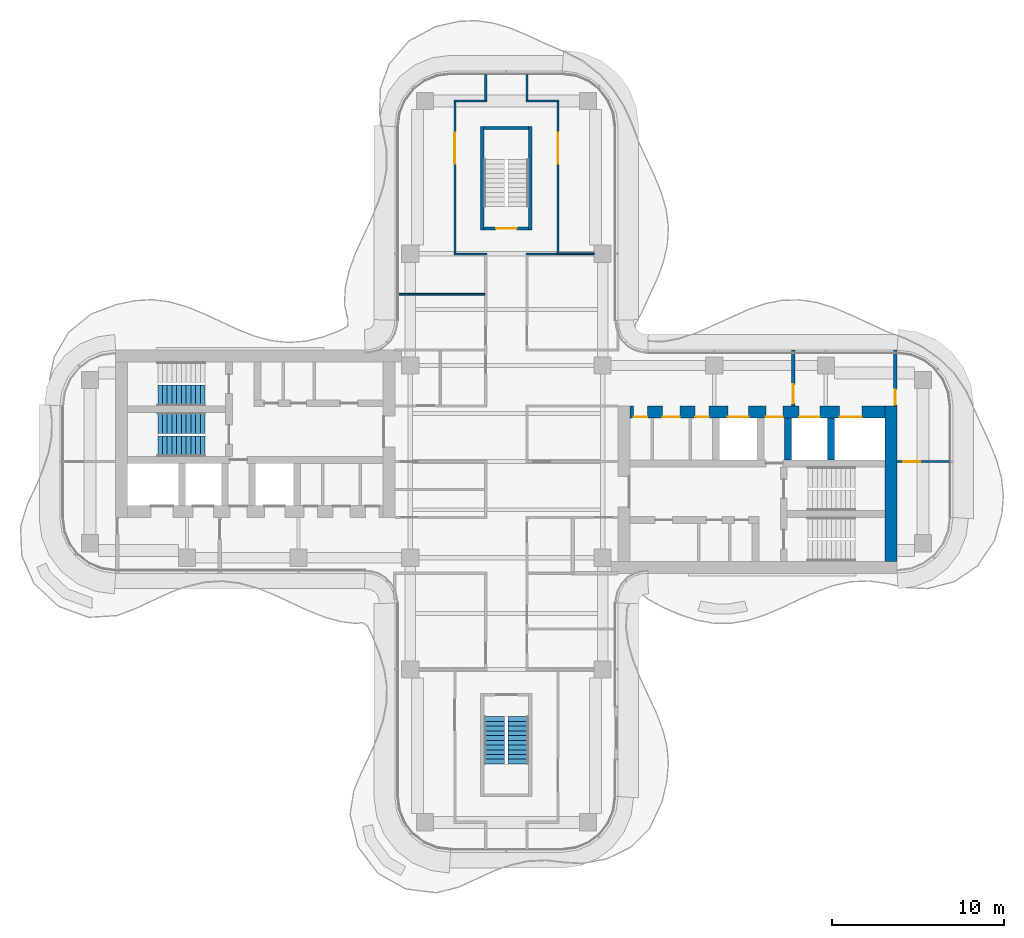
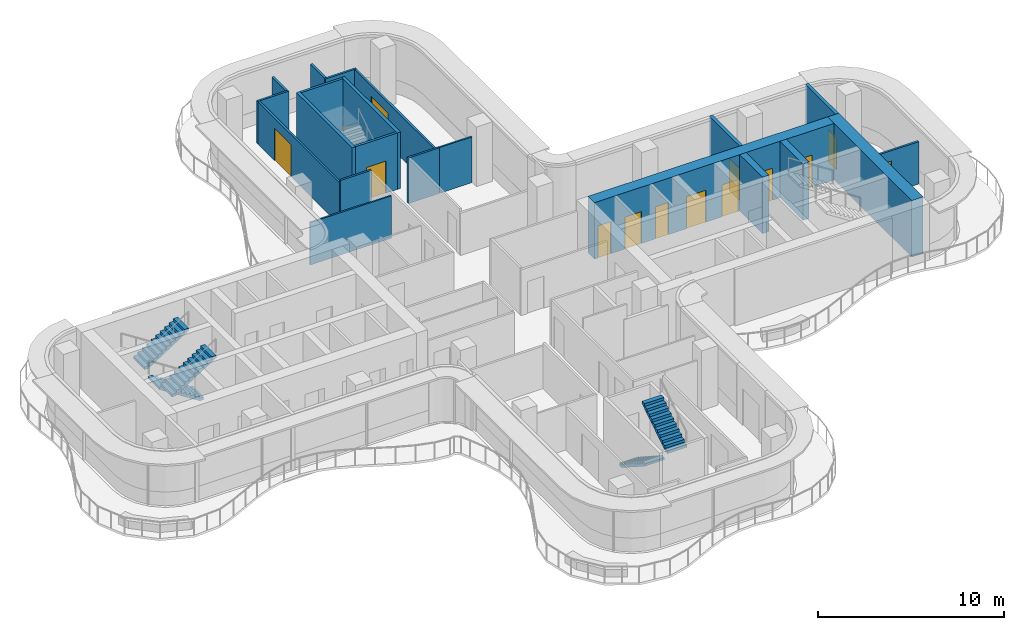
# One storey, part 13 of 16: 21 walls, 13 doors, 5 stair flights, 13 openings, 3 elements without a shape of their own.
"""IFC4 building model written with IfcOpenShell, lengths in metres."""

from ifc_helpers import new_model, si_unit, direction, frame, frame_2d, origin, place, context, subcontext, project, spatial, polyline, rectangle, outline, extrude, source, transform, mapped, material, layer, layer_set, type_object, element, fill, aggregate, save


model = new_model("IFC4")

# Units and contexts
model_context = context("Model", 3, precision=1e-05, world=origin(), true_north=direction((0.0, 1.0)))
body_context = subcontext(model_context, "Body", "Model", "MODEL_VIEW")
ifc_project = project(units=[si_unit("LENGTHUNIT", "METRE"), si_unit("AREAUNIT", "SQUARE_METRE"), si_unit("VOLUMEUNIT", "CUBIC_METRE"), si_unit("PLANEANGLEUNIT", "RADIAN"), si_unit("MASSUNIT", "GRAM", prefix="KILO")], contexts=[model_context])

# Site, building, storey
site_placement = place(None, origin())
site = spatial("IfcSite", under=ifc_project, at=site_placement, CompositionType="ELEMENT")
building_placement = place(site_placement, origin())
building = spatial("IfcBuilding", under=site, at=building_placement, Name="Trellis Farm Tower", CompositionType="ELEMENT")
storey_placement = place(building_placement, frame((0.0, 0.0, 291.10009765625)))
storey = spatial("IfcBuildingStorey", under=building, at=storey_placement, Name="L65", CompositionType="ELEMENT", Elevation=291.10009765625)

# Walls
ifc_material_1 = material(Name="Concrete C50/60", Category="concrete")
ifc_layer_1 = layer(ifc_material_1, 0.699951171875)
ifc_layer_set_1 = layer_set([ifc_layer_1], Name="CORE OUTER WALL 700 CONCRETE C50/60")
wall_type_1 = type_object("IfcWallType", Name="CORE OUTER WALL 700 CONCRETE C50/60", PredefinedType="SHEAR", material=ifc_layer_set_1)
shared_shape_1 = source(origin(), body_context, "Body", "SweptSolid", [
    extrude(rectangle(XDim=9.050048828125, YDim=0.699951171875, at=frame_2d((4.52490234375, 0.0))), origin(), (0.0, 0.0, 1.0), 3.699951171875),
])
wall_1_placement = place(storey_placement, frame((22.39990234375, -5.800048828125, 0.0), z_axis=(0.0, 0.0, 1.0), x_axis=(0.0, 1.0, 0.0)))
element("IfcWall", 1, at=wall_1_placement, inside=storey, type_object=wall_type_1, Name="Core wall", PredefinedType="SHEAR", context=body_context, shape_type="MappedRepresentation", body=[
    mapped(shared_shape_1, transform((0.0, 0.0, 0.0))),
])
ifc_layer_2 = layer(ifc_material_1, 0.39990234375)
ifc_layer_set_2 = layer_set([ifc_layer_2], Name="CORE INNER WALL 400 CONCRETE C50/60")
wall_type_2 = type_object("IfcWallType", Name="CORE INNER WALL 400 CONCRETE C50/60", PredefinedType="SHEAR", material=ifc_layer_set_2)
shared_shape_2 = source(origin(), body_context, "Body", "SweptSolid", [
    extrude(rectangle(XDim=2.449951171875, YDim=0.39990234375, at=frame_2d((1.22509765625, 0.0))), origin(), (0.0, 0.0, 1.0), 3.699951171875),
])
for number, where, z_axis, x_axis, name in (
    (2, (16.39990234375, 0.10009765625, 0.0), (0.0, 0.0, 1.0), (0.0, 1.0, 0.0), "Core wall"),
    (3, (18.89990234375, 0.10009765625, 0.0), (0.0, 0.0, 1.0), (0.0, 1.0, 0.0), "Core wall"),
):
    element("IfcWall", number, at=place(storey_placement, frame(where, z_axis=z_axis, x_axis=x_axis)), inside=storey, type_object=wall_type_2, Name=name, PredefinedType="SHEAR", context=body_context, shape_type="MappedRepresentation", body=[
        mapped(shared_shape_2, transform((0.0, 0.0, 0.0))),
    ])

# Wall, opening, door
ifc_material_2 = material(Name="Masonry blockwork", Category="masonry")
ifc_layer_3 = layer(ifc_material_2, 0.199951171875)
ifc_layer_set_3 = layer_set([ifc_layer_3], Name="FIRE LOBBY PARTITION 200 BLOCKWORK")
wall_type_3 = type_object("IfcWallType", Name="FIRE LOBBY PARTITION 200 BLOCKWORK", PredefinedType="PARTITIONING", material=ifc_layer_set_3)
shared_shape_3 = source(origin(), body_context, "Body", "SweptSolid", [
    extrude(rectangle(XDim=3.25, YDim=0.199951171875, at=frame_2d((1.625, 0.0))), origin(), (0.0, 0.0, 1.0), 3.699951171875),
])
wall_2_placement = place(storey_placement, frame((16.699951171875, 3.25, 0.0), z_axis=(0.0, 0.0, 1.0), x_axis=(0.0, 1.0, 0.0)))
wall_2 = element("IfcWall", 4, at=wall_2_placement, inside=storey, type_object=wall_type_3, Name="Fire-fighting lobby partition", PredefinedType="PARTITIONING", context=body_context, shape_type="MappedRepresentation", body=[
    mapped(shared_shape_3, transform((0.0, 0.0, 0.0))),
])
shared_shape_4 = source(origin(), body_context, "Body", "SweptSolid", [
    extrude(rectangle(XDim=1.10009765625, YDim=2.10009765625, at=frame_2d((0.550048828125, 1.050048828125))), frame((0.0, 0.110107421875, 0.0), z_axis=(0.0, -1.0, 0.0), x_axis=(1.0, 0.0, 0.0)), (0.0, 0.0, 1.0), 0.22021484375),
])
opening_1_placement = place(wall_2_placement, frame((0.14990234375, 0.0, 0.0)))
opening_1 = element("IfcOpeningElement", 5, at=opening_1_placement, cuts=wall_2, Name="Opening DC7", PredefinedType="OPENING", context=body_context, shape_type="MappedRepresentation", body=[
    mapped(shared_shape_4, transform((0.0, 0.0, 0.0))),
])
ifc_material_3 = material(Name="Steel", Category="steel")
door_type_1 = type_object("IfcDoorType", Name="CORE FIRE DOOR 1100 X 2100", OperationType="NOTDEFINED", PredefinedType="DOOR", material=ifc_material_3)
shared_shape_5 = source(origin(), body_context, "Body", "SweptSolid", [
    extrude(rectangle(XDim=1.10009765625, YDim=2.10009765625, at=frame_2d((0.550048828125, 1.050048828125))), frame((0.0, 0.02490234375, 0.0), z_axis=(0.0, -1.0, 0.0), x_axis=(1.0, 0.0, 0.0)), (0.0, 0.0, 1.0), 0.050048828125),
])
door_1_placement = place(opening_1_placement, origin())
door_1 = element("IfcDoor", 6, at=door_1_placement, inside=storey, type_object=door_type_1, Name="Core door", OperationType="SINGLE_SWING_RIGHT", OverallHeight=2.10009765625, OverallWidth=1.10009765625, PredefinedType="DOOR", context=body_context, shape_type="MappedRepresentation", body=[
    mapped(shared_shape_5, transform((0.0, 0.0, 0.0))),
])
fill(opening_1, door_1)

wall_3_placement = place(storey_placement, frame((22.64990234375, 3.25, 0.0), z_axis=(0.0, 0.0, 1.0), x_axis=(0.0, 1.0, 0.0)))
wall_3 = element("IfcWall", 7, at=wall_3_placement, inside=storey, type_object=wall_type_3, Name="Fire-fighting lobby partition", PredefinedType="PARTITIONING", context=body_context, shape_type="MappedRepresentation", body=[
    mapped(shared_shape_3, transform((0.0, 0.0, 0.0))),
])
shared_shape_6 = source(origin(), body_context, "Body", "SweptSolid", [
    extrude(rectangle(XDim=0.89990234375, YDim=2.10009765625, at=frame_2d((0.449951171875, 1.050048828125))), frame((0.0, 0.110107421875, 0.0), z_axis=(0.0, -1.0, 0.0), x_axis=(1.0, 0.0, 0.0)), (0.0, 0.0, 1.0), 0.22021484375),
])
opening_2_placement = place(wall_3_placement, frame((0.050048828125, 0.0, 0.0)))
opening_2 = element("IfcOpeningElement", 8, at=opening_2_placement, cuts=wall_3, Name="Opening DC8", PredefinedType="OPENING", context=body_context, shape_type="MappedRepresentation", body=[
    mapped(shared_shape_6, transform((0.0, 0.0, 0.0))),
])
door_type_2 = type_object("IfcDoorType", Name="CORE FIRE DOOR 900 X 2100", OperationType="NOTDEFINED", PredefinedType="DOOR", material=ifc_material_3)
shared_shape_7 = source(origin(), body_context, "Body", "SweptSolid", [
    extrude(rectangle(XDim=0.89990234375, YDim=2.10009765625, at=frame_2d((0.449951171875, 1.050048828125))), frame((0.0, 0.02490234375, 0.0), z_axis=(0.0, -1.0, 0.0), x_axis=(1.0, 0.0, 0.0)), (0.0, 0.0, 1.0), 0.050048828125),
])
door_2_placement = place(opening_2_placement, origin())
door_2 = element("IfcDoor", 9, at=door_2_placement, inside=storey, type_object=door_type_2, Name="Core door", OperationType="SINGLE_SWING_RIGHT", OverallHeight=2.10009765625, OverallWidth=0.89990234375, PredefinedType="DOOR", context=body_context, shape_type="MappedRepresentation", body=[
    mapped(shared_shape_7, transform((0.0, 0.0, 0.0))),
])
fill(opening_2, door_2)

# Wall, openings, doors
shared_shape_8 = source(origin(), body_context, "Body", "SweptSolid", [
    extrude(rectangle(XDim=14.85009765625, YDim=0.699951171875, at=frame_2d((7.425048828125, 0.0))), origin(), (0.0, 0.0, 1.0), 3.699951171875),
])
wall_4_placement = place(storey_placement, frame((7.199951171875, 2.89990234375, 0.0), z_axis=(0.0, 0.0, 1.0), x_axis=(1.0, 0.0, 0.0)))
wall_4 = element("IfcWall", 10, at=wall_4_placement, inside=storey, type_object=wall_type_1, Name="Core wall", PredefinedType="SHEAR", context=body_context, shape_type="MappedRepresentation", body=[
    mapped(shared_shape_8, transform((0.0, 0.0, 0.0))),
])
shared_shape_9 = source(origin(), body_context, "Body", "SweptSolid", [
    extrude(rectangle(XDim=1.199951171875, YDim=2.10009765625, at=frame_2d((0.60009765625, 1.050048828125))), frame((0.0, 0.360107421875, 0.0), z_axis=(0.0, -1.0, 0.0), x_axis=(1.0, 0.0, 0.0)), (0.0, 0.0, 1.0), 0.72021484375),
])
opening_3_placement = place(wall_4_placement, frame((5.699951171875, 0.0, 0.0)))
opening_3 = element("IfcOpeningElement", 11, at=opening_3_placement, cuts=wall_4, Name="Opening LD6", PredefinedType="OPENING", context=body_context, shape_type="MappedRepresentation", body=[
    mapped(shared_shape_9, transform((0.0, 0.0, 0.0))),
])
shared_shape_10 = source(origin(), body_context, "Body", "SweptSolid", [
    extrude(rectangle(XDim=1.300048828125, YDim=2.10009765625, at=frame_2d((0.64990234375, 1.050048828125))), frame((0.0, 0.360107421875, 0.0), z_axis=(0.0, -1.0, 0.0), x_axis=(1.0, 0.0, 0.0)), (0.0, 0.0, 1.0), 0.72021484375),
])
opening_4_placement = place(wall_4_placement, frame((12.199951171875, 0.0, 0.0)))
opening_4 = element("IfcOpeningElement", 12, at=opening_4_placement, cuts=wall_4, Name="Opening LD7", PredefinedType="OPENING", context=body_context, shape_type="MappedRepresentation", body=[
    mapped(shared_shape_10, transform((0.0, 0.0, 0.0))),
])
opening_5_placement = place(wall_4_placement, frame((9.85009765625, 0.0, 0.0)))
opening_5 = element("IfcOpeningElement", 13, at=opening_5_placement, cuts=wall_4, Name="Opening LD8", PredefinedType="OPENING", context=body_context, shape_type="MappedRepresentation", body=[
    mapped(shared_shape_9, transform((0.0, 0.0, 0.0))),
])
shared_shape_11 = source(origin(), body_context, "Body", "SweptSolid", [
    extrude(rectangle(XDim=1.0, YDim=2.10009765625, at=frame_2d((0.5, 1.050048828125))), frame((0.0, 0.360107421875, 0.0), z_axis=(0.0, -1.0, 0.0), x_axis=(1.0, 0.0, 0.0)), (0.0, 0.0, 1.0), 0.72021484375),
])
opening_6_placement = place(wall_4_placement, frame((7.89990234375, 0.0, 0.0)))
opening_6 = element("IfcOpeningElement", 14, at=opening_6_placement, cuts=wall_4, Name="Opening DC6", PredefinedType="OPENING", context=body_context, shape_type="MappedRepresentation", body=[
    mapped(shared_shape_11, transform((0.0, 0.0, 0.0))),
])
shared_shape_12 = source(origin(), body_context, "Body", "SweptSolid", [
    extrude(rectangle(XDim=0.800048828125, YDim=2.10009765625, at=frame_2d((0.39990234375, 1.050048828125))), frame((0.0, 0.360107421875, 0.0), z_axis=(0.0, -1.0, 0.0), x_axis=(1.0, 0.0, 0.0)), (0.0, 0.0, 1.0), 0.72021484375),
])
opening_7_placement = place(wall_4_placement, frame((0.21240234375, 0.0, 0.0)))
opening_7 = element("IfcOpeningElement", 15, at=opening_7_placement, cuts=wall_4, Name="Opening DC10", PredefinedType="OPENING", context=body_context, shape_type="MappedRepresentation", body=[
    mapped(shared_shape_12, transform((0.0, 0.0, 0.0))),
])
opening_8_placement = place(wall_4_placement, frame((1.89990234375, 0.0, 0.0)))
opening_8 = element("IfcOpeningElement", 16, at=opening_8_placement, cuts=wall_4, Name="Opening DC19", PredefinedType="OPENING", context=body_context, shape_type="MappedRepresentation", body=[
    mapped(shared_shape_11, transform((0.0, 0.0, 0.0))),
])
opening_9_placement = place(wall_4_placement, frame((3.78759765625, 0.0, 0.0)))
opening_9 = element("IfcOpeningElement", 17, at=opening_9_placement, cuts=wall_4, Name="Opening DC22", PredefinedType="OPENING", context=body_context, shape_type="MappedRepresentation", body=[
    mapped(shared_shape_12, transform((0.0, 0.0, 0.0))),
])
door_type_3 = type_object("IfcDoorType", Name="CORE FIRE DOOR 1000 X 2100", OperationType="NOTDEFINED", PredefinedType="DOOR", material=ifc_material_3)
shared_shape_13 = source(origin(), body_context, "Body", "SweptSolid", [
    extrude(rectangle(XDim=1.0, YDim=2.10009765625, at=frame_2d((0.5, 1.050048828125))), frame((0.0, -0.27490234375, 0.0), z_axis=(0.0, -1.0, 0.0), x_axis=(1.0, 0.0, 0.0)), (0.0, 0.0, 1.0), 0.050048828125),
])
door_3_placement = place(opening_6_placement, origin())
door_3 = element("IfcDoor", 18, at=door_3_placement, inside=storey, type_object=door_type_3, Name="Core door", OperationType="SINGLE_SWING_LEFT", OverallHeight=2.10009765625, OverallWidth=1.0, PredefinedType="DOOR", context=body_context, shape_type="MappedRepresentation", body=[
    mapped(shared_shape_13, transform((0.0, 0.0, 0.0))),
])
fill(opening_6, door_3)
door_4_placement = place(opening_8_placement, origin())
door_4 = element("IfcDoor", 19, at=door_4_placement, inside=storey, type_object=door_type_3, Name="Core door", OperationType="SINGLE_SWING_LEFT", OverallHeight=2.10009765625, OverallWidth=1.0, PredefinedType="DOOR", context=body_context, shape_type="MappedRepresentation", body=[
    mapped(shared_shape_13, transform((0.0, 0.0, 0.0))),
])
fill(opening_8, door_4)
ifc_material_4 = material(Name="Stainless steel", Category="steel")
door_type_4 = type_object("IfcDoorType", Name="LIFT LANDING DOOR 1300 X 2100", OperationType="DOUBLE_DOOR_SLIDING", PredefinedType="DOOR", material=ifc_material_4)
shared_shape_14 = source(origin(), body_context, "Body", "SweptSolid", [
    extrude(rectangle(XDim=1.300048828125, YDim=2.10009765625, at=frame_2d((0.64990234375, 1.050048828125))), frame((0.0, -0.27490234375, 0.0), z_axis=(0.0, -1.0, 0.0), x_axis=(1.0, 0.0, 0.0)), (0.0, 0.0, 1.0), 0.050048828125),
])
door_5_placement = place(opening_4_placement, origin())
door_5 = element("IfcDoor", 20, at=door_5_placement, inside=storey, type_object=door_type_4, Name="Lift landing door", OperationType="DOUBLE_DOOR_SLIDING", OverallHeight=2.10009765625, OverallWidth=1.300048828125, PredefinedType="DOOR", context=body_context, shape_type="MappedRepresentation", body=[
    mapped(shared_shape_14, transform((0.0, 0.0, 0.0))),
])
fill(opening_4, door_5)
door_type_5 = type_object("IfcDoorType", Name="LIFT LANDING DOOR 1200 X 2100", OperationType="DOUBLE_DOOR_SLIDING", PredefinedType="DOOR", material=ifc_material_4)
shared_shape_15 = source(origin(), body_context, "Body", "SweptSolid", [
    extrude(rectangle(XDim=1.199951171875, YDim=2.10009765625, at=frame_2d((0.60009765625, 1.050048828125))), frame((0.0, -0.27490234375, 0.0), z_axis=(0.0, -1.0, 0.0), x_axis=(1.0, 0.0, 0.0)), (0.0, 0.0, 1.0), 0.050048828125),
])
door_6_placement = place(opening_3_placement, origin())
door_6 = element("IfcDoor", 21, at=door_6_placement, inside=storey, type_object=door_type_5, Name="Lift landing door", OperationType="DOUBLE_DOOR_SLIDING", OverallHeight=2.10009765625, OverallWidth=1.199951171875, PredefinedType="DOOR", context=body_context, shape_type="MappedRepresentation", body=[
    mapped(shared_shape_15, transform((0.0, 0.0, 0.0))),
])
fill(opening_3, door_6)
door_7_placement = place(opening_5_placement, origin())
door_7 = element("IfcDoor", 22, at=door_7_placement, inside=storey, type_object=door_type_5, Name="Lift landing door", OperationType="DOUBLE_DOOR_SLIDING", OverallHeight=2.10009765625, OverallWidth=1.199951171875, PredefinedType="DOOR", context=body_context, shape_type="MappedRepresentation", body=[
    mapped(shared_shape_15, transform((0.0, 0.0, 0.0))),
])
fill(opening_5, door_7)
door_type_6 = type_object("IfcDoorType", Name="CORE FIRE DOOR 800 X 2100", OperationType="NOTDEFINED", PredefinedType="DOOR", material=ifc_material_3)
shared_shape_16 = source(origin(), body_context, "Body", "SweptSolid", [
    extrude(rectangle(XDim=0.800048828125, YDim=2.10009765625, at=frame_2d((0.39990234375, 1.050048828125))), frame((0.0, -0.27490234375, 0.0), z_axis=(0.0, -1.0, 0.0), x_axis=(1.0, 0.0, 0.0)), (0.0, 0.0, 1.0), 0.050048828125),
])
door_8_placement = place(opening_7_placement, origin())
door_8 = element("IfcDoor", 23, at=door_8_placement, inside=storey, type_object=door_type_6, Name="Core door", OperationType="SINGLE_SWING_RIGHT", OverallHeight=2.10009765625, OverallWidth=0.800048828125, PredefinedType="DOOR", context=body_context, shape_type="MappedRepresentation", body=[
    mapped(shared_shape_16, transform((0.0, 0.0, 0.0))),
])
fill(opening_7, door_8)
door_9_placement = place(opening_9_placement, origin())
door_9 = element("IfcDoor", 24, at=door_9_placement, inside=storey, type_object=door_type_6, Name="Core door", OperationType="SINGLE_SWING_RIGHT", OverallHeight=2.10009765625, OverallWidth=0.800048828125, PredefinedType="DOOR", context=body_context, shape_type="MappedRepresentation", body=[
    mapped(shared_shape_16, transform((0.0, 0.0, 0.0))),
])
fill(opening_9, door_9)

# Walls
ifc_layer_4 = layer(ifc_material_1, 0.199951171875)
ifc_layer_set_4 = layer_set([ifc_layer_4], Name="CORE STAIR ENCLOSURE WALL 200 CONCRETE C50/60")
wall_type_4 = type_object("IfcWallType", Name="CORE STAIR ENCLOSURE WALL 200 CONCRETE C50/60", PredefinedType="SHEAR", material=ifc_layer_set_4)
shared_shape_17 = source(origin(), body_context, "Body", "SweptSolid", [
    extrude(rectangle(XDim=6.0, YDim=0.199951171875, at=frame_2d((3.0, 0.0))), origin(), (0.0, 0.0, 1.0), 3.699951171875),
])
for number, where, z_axis, x_axis, name in (
    (25, (-1.39990234375, 13.5, 0.0), (0.0, 0.0, 1.0), (0.0, 1.0, 0.0), "Stair enclosure wall"),
    (26, (1.39990234375, 13.5, 0.0), (0.0, 0.0, 1.0), (0.0, 1.0, 0.0), "Stair enclosure wall"),
):
    element("IfcWall", number, at=place(storey_placement, frame(where, z_axis=z_axis, x_axis=x_axis)), inside=storey, type_object=wall_type_4, Name=name, PredefinedType="SHEAR", context=body_context, shape_type="MappedRepresentation", body=[
        mapped(shared_shape_17, transform((0.0, 0.0, 0.0))),
    ])

# Wall, opening, door
ifc_layer_5 = layer(ifc_material_1, 0.14990234375)
ifc_layer_set_5 = layer_set([ifc_layer_5], Name="CORE STAIR ENCLOSURE WALL 150 CONCRETE C50/60")
wall_type_5 = type_object("IfcWallType", Name="CORE STAIR ENCLOSURE WALL 150 CONCRETE C50/60", PredefinedType="SHEAR", material=ifc_layer_set_5)
shared_shape_18 = source(origin(), body_context, "Body", "SweptSolid", [
    extrude(rectangle(XDim=2.60009765625, YDim=0.14990234375, at=frame_2d((1.300048828125, 0.0))), origin(), (0.0, 0.0, 1.0), 3.699951171875),
])
wall_5_placement = place(storey_placement, frame((-1.300048828125, 13.574951171875, 0.0), z_axis=(0.0, 0.0, 1.0), x_axis=(1.0, 0.0, 0.0)))
wall_5 = element("IfcWall", 27, at=wall_5_placement, inside=storey, type_object=wall_type_5, Name="Stair enclosure wall", PredefinedType="SHEAR", context=body_context, shape_type="MappedRepresentation", body=[
    mapped(shared_shape_18, transform((0.0, 0.0, 0.0))),
])
shared_shape_19 = source(origin(), body_context, "Body", "SweptSolid", [
    extrude(rectangle(XDim=1.199951171875, YDim=2.10009765625, at=frame_2d((0.60009765625, 1.050048828125))), frame((0.0, 0.0849609375, 0.0), z_axis=(0.0, -1.0, 0.0), x_axis=(1.0, 0.0, 0.0)), (0.0, 0.0, 1.0), 0.169921875),
])
opening_10_placement = place(wall_5_placement, frame((0.699951171875, 0.0, 0.0)))
opening_10 = element("IfcOpeningElement", 28, at=opening_10_placement, cuts=wall_5, Name="Opening DC173", PredefinedType="OPENING", context=body_context, shape_type="MappedRepresentation", body=[
    mapped(shared_shape_19, transform((0.0, 0.0, 0.0))),
])
door_type_7 = type_object("IfcDoorType", Name="CORE FIRE DOOR 1200 X 2100", OperationType="NOTDEFINED", PredefinedType="DOOR", material=ifc_material_3)
shared_shape_20 = source(origin(), body_context, "Body", "SweptSolid", [
    extrude(rectangle(XDim=1.199951171875, YDim=2.10009765625, at=frame_2d((0.60009765625, 1.050048828125))), frame((0.0, 0.02490234375, 0.0), z_axis=(0.0, -1.0, 0.0), x_axis=(1.0, 0.0, 0.0)), (0.0, 0.0, 1.0), 0.050048828125),
])
door_10_placement = place(opening_10_placement, origin())
door_10 = element("IfcDoor", 29, at=door_10_placement, inside=storey, type_object=door_type_7, Name="Core door", OperationType="SINGLE_SWING_LEFT", OverallHeight=2.10009765625, OverallWidth=1.199951171875, PredefinedType="DOOR", context=body_context, shape_type="MappedRepresentation", body=[
    mapped(shared_shape_20, transform((0.0, 0.0, 0.0))),
])
fill(opening_10, door_10)

# Walls
wall_6_placement = place(storey_placement, frame((-1.300048828125, 19.425048828125, 0.0), z_axis=(0.0, 0.0, 1.0), x_axis=(1.0, 0.0, 0.0)))
element("IfcWall", 30, at=wall_6_placement, inside=storey, type_object=wall_type_5, Name="Stair enclosure wall", PredefinedType="SHEAR", context=body_context, shape_type="MappedRepresentation", body=[
    mapped(shared_shape_18, transform((0.0, 0.0, 0.0))),
])
ifc_material_5 = material(Name="Plasterboard on steel studs, mineral wool", Category="steel")
ifc_layer_6 = layer(ifc_material_5, 0.125)
ifc_layer_set_6 = layer_set([ifc_layer_6], Name="PARTITION 125 STUD EI 60")
wall_type_6 = type_object("IfcWallType", Name="PARTITION 125 STUD EI 60", PredefinedType="PARTITIONING", material=ifc_layer_set_6)
shared_shape_21 = source(origin(), body_context, "Body", "SweptSolid", [
    extrude(rectangle(XDim=1.925048828125, YDim=0.125, at=frame_2d((0.96240234375, 0.0))), origin(), (0.0, 0.0, 1.0), 2.99658203125),
])
for number, where, z_axis, x_axis, name in (
    (31, (-1.137451171875, 12.10009765625, 0.0), (0.0, 0.0, 1.0), (-1.0, 0.0, 0.0), "Partition PW1"),
    (32, (3.0625, 12.10009765625, 0.0), (0.0, 0.0, 1.0), (-1.0, 0.0, 0.0), "Partition PW1"),
):
    element("IfcWall", number, at=place(storey_placement, frame(where, z_axis=z_axis, x_axis=x_axis)), inside=storey, type_object=wall_type_6, Name=name, PredefinedType="PARTITIONING", context=body_context, shape_type="MappedRepresentation", body=[
        mapped(shared_shape_21, transform((0.0, 0.0, 0.0))),
    ])
ifc_material_6 = material(Name="Plasterboard on steel studs", Category="steel")
ifc_layer_7 = layer(ifc_material_6, 0.10009765625)
ifc_layer_set_7 = layer_set([ifc_layer_7], Name="PARTITION 100 STUD EI 30")
wall_type_7 = type_object("IfcWallType", Name="PARTITION 100 STUD EI 30", PredefinedType="PARTITIONING", material=ifc_layer_set_7)
shared_shape_22 = source(origin(), body_context, "Body", "SweptSolid", [
    extrude(rectangle(XDim=5.03759765625, YDim=0.10009765625, at=frame_2d((2.518798828125, 0.0))), origin(), (0.0, 0.0, 1.0), 2.77978515625),
])
wall_7_placement = place(storey_placement, frame((-6.300048828125, 9.75, 0.0), z_axis=(0.0, 0.0, 1.0), x_axis=(1.0, 0.0, 0.0)))
element("IfcWall", 33, at=wall_7_placement, inside=storey, type_object=wall_type_7, Name="Partition PW2", PredefinedType="PARTITIONING", context=body_context, shape_type="MappedRepresentation", body=[
    mapped(shared_shape_22, transform((0.0, 0.0, 0.0))),
])
shared_shape_23 = source(origin(), body_context, "Body", "SweptSolid", [
    extrude(rectangle(XDim=1.487548828125, YDim=0.125, at=frame_2d((0.74365234375, 0.0))), origin(), (0.0, 0.0, 1.0), 2.77978515625),
])
for number, where, z_axis, x_axis, name in (
    (34, (-1.199951171875, 22.550048828125, 0.0), (0.0, 0.0, 1.0), (0.0, -1.0, 0.0), "Partition PW1"),
    (35, (1.199951171875, 22.550048828125, 0.0), (0.0, 0.0, 1.0), (0.0, -1.0, 0.0), "Partition PW1"),
):
    element("IfcWall", number, at=place(storey_placement, frame(where, z_axis=z_axis, x_axis=x_axis)), inside=storey, type_object=wall_type_6, Name=name, PredefinedType="PARTITIONING", context=body_context, shape_type="MappedRepresentation", body=[
        mapped(shared_shape_23, transform((0.0, 0.0, 0.0))),
    ])
shared_shape_24 = source(origin(), body_context, "Body", "SweptSolid", [
    extrude(rectangle(XDim=1.925048828125, YDim=0.125, at=frame_2d((0.96240234375, 0.0))), origin(), (0.0, 0.0, 1.0), 2.77978515625),
])
for number, where, z_axis, x_axis, name in (
    (36, (-3.0625, 21.0, 0.0), (0.0, 0.0, 1.0), (1.0, 0.0, 0.0), "Partition PW1"),
    (37, (1.137451171875, 21.0, 0.0), (0.0, 0.0, 1.0), (1.0, 0.0, 0.0), "Partition PW1"),
):
    element("IfcWall", number, at=place(storey_placement, frame(where, z_axis=z_axis, x_axis=x_axis)), inside=storey, type_object=wall_type_6, Name=name, PredefinedType="PARTITIONING", context=body_context, shape_type="MappedRepresentation", body=[
        mapped(shared_shape_24, transform((0.0, 0.0, 0.0))),
    ])

# Wall, opening, door
shared_shape_25 = source(origin(), body_context, "Body", "SweptSolid", [
    extrude(rectangle(XDim=8.77490234375, YDim=0.125, at=frame_2d((4.387451171875, 0.0))), origin(), (0.0, 0.0, 1.0), 2.77978515625),
])
wall_8_placement = place(storey_placement, frame((-3.0, 12.16259765625, 0.0), z_axis=(0.0, 0.0, 1.0), x_axis=(0.0, 1.0, 0.0)))
wall_8 = element("IfcWall", 38, at=wall_8_placement, inside=storey, type_object=wall_type_6, Name="Partition PW1", PredefinedType="PARTITIONING", context=body_context, shape_type="MappedRepresentation", body=[
    mapped(shared_shape_25, transform((0.0, 0.0, 0.0))),
])
shared_shape_26 = source(origin(), body_context, "Body", "SweptSolid", [
    extrude(rectangle(XDim=1.800048828125, YDim=2.10009765625, at=frame_2d((0.89990234375, 1.050048828125))), frame((0.0, 0.072509765625, 0.0), z_axis=(0.0, -1.0, 0.0), x_axis=(1.0, 0.0, 0.0)), (0.0, 0.0, 1.0), 0.14501953125),
])
opening_11_placement = place(wall_8_placement, frame((5.1875, 0.0, 0.0)))
opening_11 = element("IfcOpeningElement", 39, at=opening_11_placement, cuts=wall_8, Name="Opening D203", PredefinedType="OPENING", context=body_context, shape_type="MappedRepresentation", body=[
    mapped(shared_shape_26, transform((0.0, 0.0, 0.0))),
])
ifc_material_7 = material(Name="Fire-rated timber door leaf in a hollow metal frame", Category="wood")
door_type_8 = type_object("IfcDoorType", Name="DOOR PAIR 1800x2100 FD30S", OperationType="NOTDEFINED", PredefinedType="DOOR", material=ifc_material_7)
shared_shape_27 = source(origin(), body_context, "Body", "SweptSolid", [
    extrude(rectangle(XDim=1.800048828125, YDim=2.10009765625, at=frame_2d((0.89990234375, 1.050048828125))), frame((0.0, 0.02490234375, 0.0), z_axis=(0.0, -1.0, 0.0), x_axis=(1.0, 0.0, 0.0)), (0.0, 0.0, 1.0), 0.050048828125),
])
door_11_placement = place(opening_11_placement, origin())
door_11 = element("IfcDoor", 40, at=door_11_placement, inside=storey, type_object=door_type_8, Name="Door D203", OperationType="DOUBLE_DOOR_SINGLE_SWING", OverallHeight=2.10009765625, OverallWidth=1.800048828125, PredefinedType="DOOR", context=body_context, shape_type="MappedRepresentation", body=[
    mapped(shared_shape_27, transform((0.0, 0.0, 0.0))),
])
fill(opening_11, door_11)

shared_shape_28 = source(origin(), body_context, "Body", "SweptSolid", [
    extrude(rectangle(XDim=8.78759765625, YDim=0.125, at=frame_2d((4.393798828125, 0.0))), origin(), (0.0, 0.0, 1.0), 2.77978515625),
])
wall_9_placement = place(storey_placement, frame((3.0, 20.9375, 0.0), z_axis=(0.0, 0.0, 1.0), x_axis=(0.0, -1.0, 0.0)))
wall_9 = element("IfcWall", 41, at=wall_9_placement, inside=storey, type_object=wall_type_6, Name="Partition PW1", PredefinedType="PARTITIONING", context=body_context, shape_type="MappedRepresentation", body=[
    mapped(shared_shape_28, transform((0.0, 0.0, 0.0))),
])
opening_12_placement = place(wall_9_placement, frame((1.78759765625, 0.0, 0.0)))
opening_12 = element("IfcOpeningElement", 42, at=opening_12_placement, cuts=wall_9, Name="Opening D204", PredefinedType="OPENING", context=body_context, shape_type="MappedRepresentation", body=[
    mapped(shared_shape_26, transform((0.0, 0.0, 0.0))),
])
door_12_placement = place(opening_12_placement, origin())
door_12 = element("IfcDoor", 43, at=door_12_placement, inside=storey, type_object=door_type_8, Name="Door D204", OperationType="DOUBLE_DOOR_SINGLE_SWING", OverallHeight=2.10009765625, OverallWidth=1.800048828125, PredefinedType="DOOR", context=body_context, shape_type="MappedRepresentation", body=[
    mapped(shared_shape_27, transform((0.0, 0.0, 0.0))),
])
fill(opening_12, door_12)

shared_shape_29 = source(origin(), body_context, "Body", "SweptSolid", [
    extrude(rectangle(XDim=3.050048828125, YDim=0.125, at=frame_2d((1.52490234375, 0.0))), origin(), (0.0, 0.0, 1.0), 2.77978515625),
])
wall_10_placement = place(storey_placement, frame((25.800048828125, 0.0, 0.0), z_axis=(0.0, 0.0, 1.0), x_axis=(-1.0, 0.0, 0.0)))
wall_10 = element("IfcWall", 44, at=wall_10_placement, inside=storey, type_object=wall_type_6, Name="Partition PW1", PredefinedType="PARTITIONING", context=body_context, shape_type="MappedRepresentation", body=[
    mapped(shared_shape_29, transform((0.0, 0.0, 0.0))),
])
shared_shape_30 = source(origin(), body_context, "Body", "SweptSolid", [
    extrude(rectangle(XDim=1.0, YDim=2.10009765625, at=frame_2d((0.5, 1.050048828125))), frame((0.0, 0.072509765625, 0.0), z_axis=(0.0, -1.0, 0.0), x_axis=(1.0, 0.0, 0.0)), (0.0, 0.0, 1.0), 0.14501953125),
])
opening_13_placement = place(wall_10_placement, frame((1.699951171875, 0.0, 0.0)))
opening_13 = element("IfcOpeningElement", 45, at=opening_13_placement, cuts=wall_10, Name="Opening D107", PredefinedType="OPENING", context=body_context, shape_type="MappedRepresentation", body=[
    mapped(shared_shape_30, transform((0.0, 0.0, 0.0))),
])
door_type_9 = type_object("IfcDoorType", Name="DOOR 1000x2100 FD30S", OperationType="NOTDEFINED", PredefinedType="DOOR", material=ifc_material_7)
shared_shape_31 = source(origin(), body_context, "Body", "SweptSolid", [
    extrude(rectangle(XDim=1.0, YDim=2.10009765625, at=frame_2d((0.5, 1.050048828125))), frame((0.0, 0.02490234375, 0.0), z_axis=(0.0, -1.0, 0.0), x_axis=(1.0, 0.0, 0.0)), (0.0, 0.0, 1.0), 0.050048828125),
])
door_13_placement = place(opening_13_placement, origin())
door_13 = element("IfcDoor", 46, at=door_13_placement, inside=storey, type_object=door_type_9, Name="Door D107", OperationType="SINGLE_SWING_RIGHT", OverallHeight=2.10009765625, OverallWidth=1.0, PredefinedType="DOOR", context=body_context, shape_type="MappedRepresentation", body=[
    mapped(shared_shape_31, transform((0.0, 0.0, 0.0))),
])
fill(opening_13, door_13)

# Wall
shared_shape_32 = source(origin(), body_context, "Body", "SweptSolid", [
    extrude(rectangle(XDim=2.16259765625, YDim=0.10009765625, at=frame_2d((1.081298828125, 0.0))), origin(), (0.0, 0.0, 1.0), 2.99658203125),
])
wall_11_placement = place(storey_placement, frame((2.9375, 12.10009765625, 0.0), z_axis=(0.0, 0.0, 1.0), x_axis=(1.0, 0.0, 0.0)))
element("IfcWall", 47, at=wall_11_placement, inside=storey, type_object=wall_type_7, Name="Partition PW2", PredefinedType="PARTITIONING", context=body_context, shape_type="MappedRepresentation", body=[
    mapped(shared_shape_32, transform((0.0, 0.0, 0.0))),
])

# Stair, stair flights
stair_type = type_object("IfcStairType", Name="CORE EXIT STAIR 22 RISERS 177 MM", PredefinedType="HALF_TURN_STAIR", material=ifc_material_1)
placement = place(storey_placement, origin())
stair_1 = element("IfcStair", 48, at=placement, inside=storey, type_object=stair_type, Name="Exit stair S", PredefinedType="HALF_TURN_STAIR")
stair_flight_type = type_object("IfcStairFlightType", Name="STAIR FLIGHT 11 RISERS 177 MM", PredefinedType="STRAIGHT", material=ifc_material_1)
shared_shape_33 = source(origin(), body_context, "Body", "SweptSolid", [
    extrude(outline(polyline([(0.0, 0.0), (0.0, 0.17724609375), (0.27490234375, 0.17724609375), (0.27490234375, 0.3544921875), (0.550048828125, 0.3544921875), (0.550048828125, 0.53173828125), (0.824951171875, 0.53173828125), (0.824951171875, 0.708984375), (1.10009765625, 0.708984375), (1.10009765625, 0.886474609375), (1.375, 0.886474609375), (1.375, 1.063720703125), (1.64990234375, 1.063720703125), (1.64990234375, 1.240966796875), (1.925048828125, 1.240966796875), (1.925048828125, 1.418212890625), (2.199951171875, 1.418212890625), (2.199951171875, 1.595458984375), (2.47509765625, 1.595458984375), (2.47509765625, 1.772705078125), (2.75, 1.772705078125), (2.75, 1.949951171875), (2.75, 1.6181640625), (0.23974609375, 0.0), (0.0, 0.0)])), frame((0.0, 0.60009765625, 0.0), z_axis=(0.0, -1.0, 0.0), x_axis=(1.0, 0.0, 0.0)), (0.0, 0.0, 1.0), 1.199951171875),
])
stair_flight_1_placement = place(storey_placement, frame((-0.699951171875, -14.85009765625, 0.0), z_axis=(0.0, 0.0, 1.0), x_axis=(0.0, -1.0, 0.0)))
stair_flight_1 = element("IfcStairFlight", 49, at=stair_flight_1_placement, type_object=stair_flight_type, Name="STS flight 1", NumberOfRisers=11, NumberOfTreads=10, PredefinedType="STRAIGHT", RiserHeight=0.177272727, TreadLength=0.275, context=body_context, shape_type="MappedRepresentation", body=[
    mapped(shared_shape_33, transform((0.0, 0.0, 0.0))),
])
stair_flight_2_placement = place(storey_placement, frame((0.699951171875, -17.60009765625, 1.949951171875), z_axis=(0.0, 0.0, 1.0), x_axis=(0.0, 1.0, 0.0)))
stair_flight_2 = element("IfcStairFlight", 50, at=stair_flight_2_placement, type_object=stair_flight_type, Name="STS flight 2", NumberOfRisers=11, NumberOfTreads=10, PredefinedType="STRAIGHT", RiserHeight=0.177272727, TreadLength=0.275, context=body_context, shape_type="MappedRepresentation", body=[
    mapped(shared_shape_33, transform((0.0, 0.0, 0.0))),
])
aggregate(stair_1, [stair_flight_1, stair_flight_2])

# Stair, stair flight
stair_2 = element("IfcStair", 51, at=placement, inside=storey, type_object=stair_type, Name="Exit stair W1", PredefinedType="HALF_TURN_STAIR")
stair_flight_3_placement = place(storey_placement, frame((-20.300048828125, 3.85009765625, 1.949951171875), z_axis=(0.0, 0.0, 1.0), x_axis=(1.0, 0.0, 0.0)))
stair_flight_3 = element("IfcStairFlight", 52, at=stair_flight_3_placement, type_object=stair_flight_type, Name="STW1 flight 2", NumberOfRisers=11, NumberOfTreads=10, PredefinedType="STRAIGHT", RiserHeight=0.177272727, TreadLength=0.275, context=body_context, shape_type="MappedRepresentation", body=[
    mapped(shared_shape_33, transform((0.0, 0.0, 0.0))),
])
aggregate(stair_2, [stair_flight_3])

# Stair, stair flights
stair_3 = element("IfcStair", 53, at=placement, inside=storey, type_object=stair_type, Name="Exit stair W2", PredefinedType="HALF_TURN_STAIR")
stair_flight_4_placement = place(storey_placement, frame((-17.550048828125, 2.25, 0.0), z_axis=(0.0, 0.0, 1.0), x_axis=(-1.0, 0.0, 0.0)))
stair_flight_4 = element("IfcStairFlight", 54, at=stair_flight_4_placement, type_object=stair_flight_type, Name="STW2 flight 1", NumberOfRisers=11, NumberOfTreads=10, PredefinedType="STRAIGHT", RiserHeight=0.177272727, TreadLength=0.275, context=body_context, shape_type="MappedRepresentation", body=[
    mapped(shared_shape_33, transform((0.0, 0.0, 0.0))),
])
stair_flight_5_placement = place(storey_placement, frame((-20.300048828125, 0.89990234375, 1.949951171875), z_axis=(0.0, 0.0, 1.0), x_axis=(1.0, 0.0, 0.0)))
stair_flight_5 = element("IfcStairFlight", 55, at=stair_flight_5_placement, type_object=stair_flight_type, Name="STW2 flight 2", NumberOfRisers=11, NumberOfTreads=10, PredefinedType="STRAIGHT", RiserHeight=0.177272727, TreadLength=0.275, context=body_context, shape_type="MappedRepresentation", body=[
    mapped(shared_shape_33, transform((0.0, 0.0, 0.0))),
])
aggregate(stair_3, [stair_flight_4, stair_flight_5])

save(model, "model.ifc")
